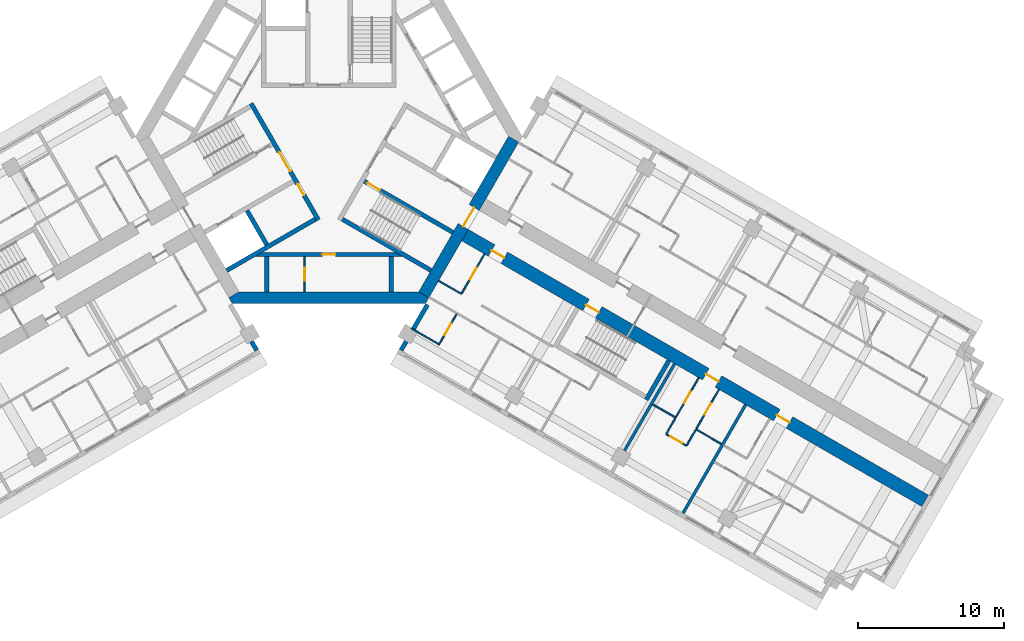
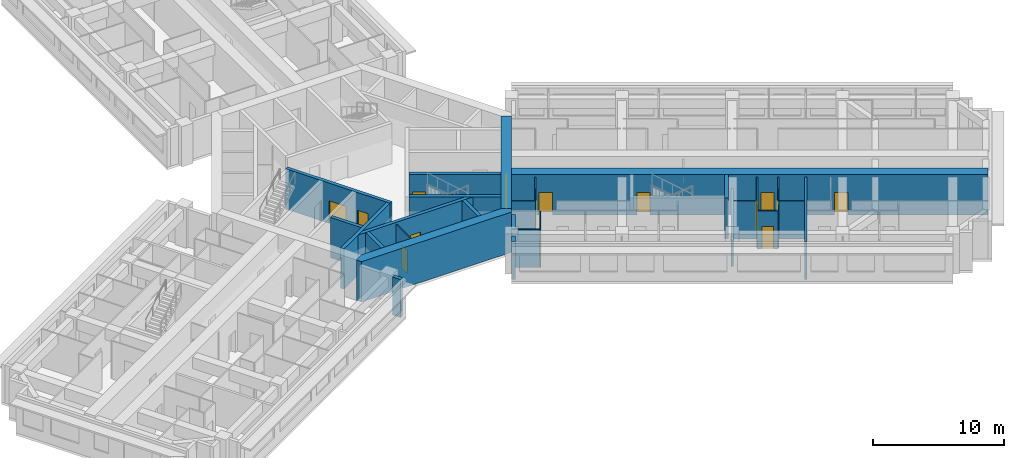
# One storey, part 6 of 14: 29 walls, 15 doors, 15 openings.
"""IFC4 building model written with IfcOpenShell, lengths in metres."""

from ifc_helpers import new_model, si_unit, direction, frame, frame_2d, origin, place, context, subcontext, project, spatial, polyline, rectangle, outline, extrude, material, layer, layer_set, type_object, element, fill, save


model = new_model("IFC4")

# Units and contexts
model_context = context("Model", 3, precision=1e-05, world=origin(), true_north=direction((0.0, 1.0)))
body_context = subcontext(model_context, "Body", "Model", "MODEL_VIEW")
ifc_project = project(units=[si_unit("LENGTHUNIT", "METRE"), si_unit("AREAUNIT", "SQUARE_METRE"), si_unit("VOLUMEUNIT", "CUBIC_METRE"), si_unit("PLANEANGLEUNIT", "RADIAN"), si_unit("MASSUNIT", "GRAM", prefix="KILO")], contexts=[model_context])

# Site, building, storey
site_placement = place(None, origin())
site = spatial("IfcSite", under=ifc_project, at=site_placement, CompositionType="ELEMENT")
building_placement = place(site_placement, origin())
building = spatial("IfcBuilding", under=site, at=building_placement, Name="Impinga Residences", CompositionType="ELEMENT")
storey_placement = place(building_placement, frame((0.0, 0.0, 154.75)))
storey = spatial("IfcBuildingStorey", under=building, at=storey_placement, Name="L38", CompositionType="ELEMENT", Elevation=154.75)

# Wall, openings, doors
ifc_material_1 = material(Name="Concrete C60/75", Category="concrete")
ifc_layer_1 = layer(ifc_material_1, 0.89990234375)
ifc_layer_set_1 = layer_set([ifc_layer_1], Name="Concrete C60/75")
wall_type_1 = type_object("IfcWallType", Name="BW2 corridor buttress wall, L24 to L44 900", PredefinedType="SHEAR", material=ifc_layer_set_1)
wall_1_placement = place(storey_placement, frame((8.95361328125, -6.554931640625, 0.0), z_axis=(0.0, 0.0, 1.0), x_axis=(0.866024733898, -0.500001160275, 0.0)))
wall_1 = element("IfcWall", 1, at=wall_1_placement, inside=storey, type_object=wall_type_1, Name="Corridor wall BW2 ED L38", PredefinedType="SHEAR", context=body_context, shape_type="SweptSolid", body=[
    extrude(rectangle(XDim=36.7001953125, YDim=0.89990234375, at=frame_2d((18.35009765625, 0.0))), origin(), (0.0, 0.0, 1.0), 3.75),
])
opening_1_placement = place(wall_1_placement, frame((9.949951171875, 0.0, 0.0)))
opening_1 = element("IfcOpeningElement", 2, at=opening_1_placement, cuts=wall_1, Name="Opening D5", PredefinedType="OPENING", context=body_context, shape_type="SweptSolid", body=[
    extrude(rectangle(XDim=1.0, YDim=2.10009765625, at=frame_2d((0.5, 1.050048828125))), frame((0.0, 0.4599609375, 0.0), z_axis=(0.0, -1.0, 0.0), x_axis=(1.0, 0.0, 0.0)), (0.0, 0.0, 1.0), 0.919921875),
])
opening_2_placement = place(wall_1_placement, frame((2.5, 0.0, 0.0)))
opening_2 = element("IfcOpeningElement", 3, at=opening_2_placement, cuts=wall_1, Name="Opening D1", PredefinedType="OPENING", context=body_context, shape_type="SweptSolid", body=[
    extrude(rectangle(XDim=1.0, YDim=2.10009765625, at=frame_2d((0.5, 1.050048828125))), frame((0.0, 0.4599609375, 0.0), z_axis=(0.0, -1.0, 0.0), x_axis=(1.0, 0.0, 0.0)), (0.0, 0.0, 1.0), 0.919921875),
])
opening_3_placement = place(wall_1_placement, frame((19.39990234375, 0.0, 0.0)))
opening_3 = element("IfcOpeningElement", 4, at=opening_3_placement, cuts=wall_1, Name="Opening D1", PredefinedType="OPENING", context=body_context, shape_type="SweptSolid", body=[
    extrude(rectangle(XDim=1.0, YDim=2.10009765625, at=frame_2d((0.5, 1.050048828125))), frame((0.0, 0.4599609375, 0.0), z_axis=(0.0, -1.0, 0.0), x_axis=(1.0, 0.0, 0.0)), (0.0, 0.0, 1.0), 0.919921875),
])
opening_4_placement = place(wall_1_placement, frame((25.0, 0.0, 0.0)))
opening_4 = element("IfcOpeningElement", 5, at=opening_4_placement, cuts=wall_1, Name="Opening D1", PredefinedType="OPENING", context=body_context, shape_type="SweptSolid", body=[
    extrude(rectangle(XDim=1.0, YDim=2.10009765625, at=frame_2d((0.5, 1.050048828125))), frame((0.0, 0.4599609375, 0.0), z_axis=(0.0, -1.0, 0.0), x_axis=(1.0, 0.0, 0.0)), (0.0, 0.0, 1.0), 0.919921875),
])
ifc_material_2 = material(Name="Timber door set", Category="wood")
door_type_1 = type_object("IfcDoorType", Name="D1 apartment entrance door 1000x2100", OperationType="SINGLE_SWING_LEFT", PredefinedType="DOOR", material=ifc_material_2)
door_1_placement = place(opening_2_placement, origin())
door_1 = element("IfcDoor", 6, at=door_1_placement, inside=storey, type_object=door_type_1, Name="Apartment L38-EF1 entrance", OperationType="SINGLE_SWING_LEFT", OverallHeight=2.10009765625, OverallWidth=1.0, PredefinedType="DOOR", context=body_context, shape_type="SweptSolid", body=[
    extrude(rectangle(XDim=1.0, YDim=2.10009765625, at=frame_2d((0.5, 1.050048828125))), frame((0.0, 0.02490234375, 0.0), z_axis=(0.0, -1.0, 0.0), x_axis=(1.0, 0.0, 0.0)), (0.0, 0.0, 1.0), 0.050048828125),
])
fill(opening_2, door_1)
door_2_placement = place(opening_3_placement, origin())
door_2 = element("IfcDoor", 7, at=door_2_placement, inside=storey, type_object=door_type_1, Name="Apartment L38-EF2 entrance", OperationType="SINGLE_SWING_RIGHT", OverallHeight=2.10009765625, OverallWidth=1.0, PredefinedType="DOOR", context=body_context, shape_type="SweptSolid", body=[
    extrude(rectangle(XDim=1.0, YDim=2.10009765625, at=frame_2d((0.5, 1.050048828125))), frame((0.0, 0.02490234375, 0.0), z_axis=(0.0, -1.0, 0.0), x_axis=(1.0, 0.0, 0.0)), (0.0, 0.0, 1.0), 0.050048828125),
])
fill(opening_3, door_2)
door_3_placement = place(opening_4_placement, origin())
door_3 = element("IfcDoor", 8, at=door_3_placement, inside=storey, type_object=door_type_1, Name="Apartment L38-EF3 entrance", OperationType="SINGLE_SWING_RIGHT", OverallHeight=2.10009765625, OverallWidth=1.0, PredefinedType="DOOR", context=body_context, shape_type="SweptSolid", body=[
    extrude(rectangle(XDim=1.0, YDim=2.10009765625, at=frame_2d((0.5, 1.050048828125))), frame((0.0, 0.02490234375, 0.0), z_axis=(0.0, -1.0, 0.0), x_axis=(1.0, 0.0, 0.0)), (0.0, 0.0, 1.0), 0.050048828125),
])
fill(opening_4, door_3)
door_type_2 = type_object("IfcDoorType", Name="D5 stair door 1000x2100", OperationType="SINGLE_SWING_LEFT", PredefinedType="DOOR", material=ifc_material_2)
door_4_placement = place(opening_1_placement, origin())
door_4 = element("IfcDoor", 9, at=door_4_placement, inside=storey, type_object=door_type_2, Name="Wing stair door E", OperationType="SINGLE_SWING_LEFT", OverallHeight=2.10009765625, OverallWidth=1.0, PredefinedType="DOOR", context=body_context, shape_type="SweptSolid", body=[
    extrude(rectangle(XDim=1.0, YDim=2.10009765625, at=frame_2d((0.5, 1.050048828125))), frame((0.0, 0.02490234375, 0.0), z_axis=(0.0, -1.0, 0.0), x_axis=(1.0, 0.0, 0.0)), (0.0, 0.0, 1.0), 0.050048828125),
])
fill(opening_1, door_4)

# Wall, opening, door
ifc_material_3 = material(Name="Concrete blockwork", Category="masonry")
ifc_layer_2 = layer(ifc_material_3, 0.10009765625)
ifc_layer_set_2 = layer_set([ifc_layer_2], Name="CP1 core room partition, blockwork 100")
wall_type_2 = type_object("IfcWallType", Name="CP1 core room partition, blockwork 100", PredefinedType="PARTITIONING", material=ifc_layer_set_2)
wall_2_placement = place(storey_placement, frame((-1.64990234375, -8.2314453125, 0.0), z_axis=(0.0, 0.0, 1.0), x_axis=(0.0, -1.0, 0.0)))
wall_2 = element("IfcWall", 10, at=wall_2_placement, inside=storey, type_object=wall_type_2, Name="Core room partition, blockwork L38:CORE:low:ZP1", PredefinedType="PARTITIONING", context=body_context, shape_type="SweptSolid", body=[
    extrude(rectangle(XDim=2.400146484375, YDim=0.10009765625, at=frame_2d((1.2001953125, 0.0))), origin(), (0.0, 0.0, 1.0), 3.530029296875),
])
opening_5_placement = place(wall_2_placement, frame((0.75, 0.0, 0.0)))
opening_5 = element("IfcOpeningElement", 11, at=opening_5_placement, cuts=wall_2, Name="Opening D6", PredefinedType="OPENING", context=body_context, shape_type="SweptSolid", body=[
    extrude(rectangle(XDim=0.89990234375, YDim=2.10009765625, at=frame_2d((0.449951171875, 1.050048828125))), frame((0.0, 0.06005859375, 0.0), z_axis=(0.0, -1.0, 0.0), x_axis=(1.0, 0.0, 0.0)), (0.0, 0.0, 1.0), 0.1201171875),
])
door_type_3 = type_object("IfcDoorType", Name="D6 riser and store door 900x2100", OperationType="SINGLE_SWING_LEFT", PredefinedType="DOOR", material=ifc_material_2)
door_5_placement = place(opening_5_placement, origin())
door_5 = element("IfcDoor", 12, at=door_5_placement, inside=storey, type_object=door_type_3, Name="Residents' storage lockers door", OperationType="SINGLE_SWING_LEFT", OverallHeight=2.10009765625, OverallWidth=0.89990234375, PredefinedType="DOOR", context=body_context, shape_type="SweptSolid", body=[
    extrude(rectangle(XDim=0.89990234375, YDim=2.10009765625, at=frame_2d((0.449951171875, 1.050048828125))), frame((0.0, 0.02490234375, 0.0), z_axis=(0.0, -1.0, 0.0), x_axis=(1.0, 0.0, 0.0)), (0.0, 0.0, 1.0), 0.050048828125),
])
fill(opening_5, door_5)

# Walls
ifc_material_4 = material(Name="Terracotta rainscreen on blockwork", Category="masonry")
ifc_layer_3 = layer(ifc_material_4, 0.300048828125)
ifc_layer_set_3 = layer_set([ifc_layer_3], Name="EW1 external wall, terracotta rainscreen on blockwork 300")
wall_type_3 = type_object("IfcWallType", Name="EW1 external wall, terracotta rainscreen on blockwork 300", PredefinedType="SOLIDWALL", material=ifc_layer_set_3)
wall_3_placement = place(storey_placement, frame((4.929931640625, -14.624267578125, 0.0), z_axis=(0.0, 0.0, 1.0), x_axis=(0.499853302173, 0.866110083249, 0.0)))
element("IfcWall", 13, at=wall_3_placement, inside=storey, type_object=wall_type_3, Name="External wall EW1 L38", PredefinedType="SOLIDWALL", context=body_context, shape_type="SweptSolid", body=[
    extrude(rectangle(XDim=0.699951171875, YDim=0.300048828125, at=frame_2d((0.35009765625, 0.0))), origin(), (0.0, 0.0, 1.0), 3.530029296875),
])
wall_4_placement = place(storey_placement, frame((5.77978515625, -13.152099609375, 0.0), z_axis=(0.0, 0.0, 1.0), x_axis=(0.500063520245, 0.865988727248, 0.0)))
element("IfcWall", 14, at=wall_4_placement, inside=storey, type_object=wall_type_3, Name="External wall EW1 L38", PredefinedType="SOLIDWALL", context=body_context, shape_type="SweptSolid", body=[
    extrude(rectangle(XDim=1.900146484375, YDim=0.300048828125, at=frame_2d((0.9501953125, 0.0))), origin(), (0.0, 0.0, 1.0), 3.530029296875),
])
wall_5_placement = place(storey_placement, frame((-5.27978515625, -14.01806640625, 0.0), z_axis=(0.0, 0.0, 1.0), x_axis=(0.499853302173, -0.866110083249, 0.0)))
element("IfcWall", 15, at=wall_5_placement, inside=storey, type_object=wall_type_3, Name="External wall EW1 L38", PredefinedType="SOLIDWALL", context=body_context, shape_type="SweptSolid", body=[
    extrude(rectangle(XDim=0.699951171875, YDim=0.300048828125, at=frame_2d((0.35009765625, 0.0))), origin(), (0.0, 0.0, 1.0), 3.530029296875),
])
ifc_material_5 = material(Name="Gypsum board on steel studs", Category="steel")
ifc_layer_4 = layer(ifc_material_5, 0.10009765625)
ifc_layer_set_4 = layer_set([ifc_layer_4], Name="Gypsum board on steel studs")
wall_type_4 = type_object("IfcWallType", Name="IP1 partition 100", PredefinedType="PARTITIONING", material=ifc_layer_set_4)
wall_6_placement = place(storey_placement, frame((7.5, -9.872802734375, 0.0), z_axis=(0.0, 0.0, 1.0), x_axis=(0.866047807691, -0.499961193289, 0.0)))
element("IfcWall", 16, at=wall_6_placement, inside=storey, type_object=wall_type_4, Name="Partition L38-EF1:DIV0", PredefinedType="PARTITIONING", context=body_context, shape_type="SweptSolid", body=[
    extrude(rectangle(XDim=1.800048828125, YDim=0.10009765625, at=frame_2d((0.89990234375, 0.0))), origin(), (0.0, 0.0, 1.0), 3.530029296875),
])

# Wall, opening, door
wall_7_placement = place(storey_placement, frame((10.6337890625, -8.044677734375, 0.0), z_axis=(0.0, 0.0, 1.0), x_axis=(-0.49999285859, -0.86602952684, 0.0)))
wall_7 = element("IfcWall", 17, at=wall_7_placement, inside=storey, type_object=wall_type_4, Name="Partition L38-EF1:IB1", PredefinedType="PARTITIONING", context=body_context, shape_type="SweptSolid", body=[
    extrude(rectangle(XDim=3.10009765625, YDim=0.10009765625, at=frame_2d((1.550048828125, 0.0))), origin(), (0.0, 0.0, 1.0), 3.530029296875),
])
opening_6_placement = place(wall_7_placement, frame((1.10009765625, 0.0, 0.0)))
opening_6 = element("IfcOpeningElement", 18, at=opening_6_placement, cuts=wall_7, Name="Opening D2", PredefinedType="OPENING", context=body_context, shape_type="SweptSolid", body=[
    extrude(rectangle(XDim=0.89990234375, YDim=2.10009765625, at=frame_2d((0.449951171875, 1.050048828125))), frame((0.0, 0.06005859375, 0.0), z_axis=(0.0, -1.0, 0.0), x_axis=(1.0, 0.0, 0.0)), (0.0, 0.0, 1.0), 0.1201171875),
])
door_type_4 = type_object("IfcDoorType", Name="D2 internal door 900x2100", OperationType="SINGLE_SWING_LEFT", PredefinedType="DOOR", material=ifc_material_2)
door_6_placement = place(opening_6_placement, origin())
door_6 = element("IfcDoor", 19, at=door_6_placement, inside=storey, type_object=door_type_4, Name="Apartment L38-EF1 bathroom door", OperationType="SINGLE_SWING_LEFT", OverallHeight=2.10009765625, OverallWidth=0.89990234375, PredefinedType="DOOR", context=body_context, shape_type="SweptSolid", body=[
    extrude(rectangle(XDim=0.89990234375, YDim=2.10009765625, at=frame_2d((0.449951171875, 1.050048828125))), frame((0.0, 0.02490234375, 0.0), z_axis=(0.0, -1.0, 0.0), x_axis=(1.0, 0.0, 0.0)), (0.0, 0.0, 1.0), 0.050048828125),
])
fill(opening_6, door_6)

wall_8_placement = place(storey_placement, frame((8.730224609375, -12.141845703125, 0.0), z_axis=(0.0, 0.0, 1.0), x_axis=(-0.499943856944, -0.866057815567, 0.0)))
wall_8 = element("IfcWall", 20, at=wall_8_placement, inside=storey, type_object=wall_type_4, Name="Partition L38-EF1:EN1", PredefinedType="PARTITIONING", context=body_context, shape_type="SweptSolid", body=[
    extrude(rectangle(XDim=2.449951171875, YDim=0.10009765625, at=frame_2d((1.22509765625, 0.0))), origin(), (0.0, 0.0, 1.0), 3.530029296875),
])
opening_7_placement = place(wall_8_placement, frame((0.75, 0.0, 0.0)))
opening_7 = element("IfcOpeningElement", 21, at=opening_7_placement, cuts=wall_8, Name="Opening D2", PredefinedType="OPENING", context=body_context, shape_type="SweptSolid", body=[
    extrude(rectangle(XDim=0.89990234375, YDim=2.10009765625, at=frame_2d((0.449951171875, 1.050048828125))), frame((0.0, 0.06005859375, 0.0), z_axis=(0.0, -1.0, 0.0), x_axis=(1.0, 0.0, 0.0)), (0.0, 0.0, 1.0), 0.1201171875),
])
door_7_placement = place(opening_7_placement, origin())
door_7 = element("IfcDoor", 22, at=door_7_placement, inside=storey, type_object=door_type_4, Name="Apartment L38-EF1 en-suite door", OperationType="SINGLE_SWING_LEFT", OverallHeight=2.10009765625, OverallWidth=0.89990234375, PredefinedType="DOOR", context=body_context, shape_type="SweptSolid", body=[
    extrude(rectangle(XDim=0.89990234375, YDim=2.10009765625, at=frame_2d((0.449951171875, 1.050048828125))), frame((0.0, 0.02490234375, 0.0), z_axis=(0.0, -1.0, 0.0), x_axis=(1.0, 0.0, 0.0)), (0.0, 0.0, 1.0), 0.050048828125),
])
fill(opening_7, door_7)

# Walls
wall_9_placement = place(storey_placement, frame((5.625, -13.120361328125, 0.0), z_axis=(0.0, 0.0, 1.0), x_axis=(0.866047553582, -0.499961633463, 0.0)))
element("IfcWall", 23, at=wall_9_placement, inside=storey, type_object=wall_type_4, Name="Partition L38-EF1:EN2", PredefinedType="PARTITIONING", context=body_context, shape_type="SweptSolid", body=[
    extrude(rectangle(XDim=2.150146484375, YDim=0.10009765625, at=frame_2d((1.0751953125, 0.0))), origin(), (0.0, 0.0, 1.0), 3.530029296875),
])
wall_10_placement = place(storey_placement, frame((22.1357421875, -18.32275390625, 0.0), z_axis=(0.0, 0.0, 1.0), x_axis=(0.866047807691, -0.499961193289, 0.0)))
element("IfcWall", 24, at=wall_10_placement, inside=storey, type_object=wall_type_4, Name="Partition L38-EF2:DIV0", PredefinedType="PARTITIONING", context=body_context, shape_type="SweptSolid", body=[
    extrude(rectangle(XDim=1.800048828125, YDim=0.10009765625, at=frame_2d((0.89990234375, 0.0))), origin(), (0.0, 0.0, 1.0), 3.530029296875),
])
wall_11_placement = place(storey_placement, frame((25.080322265625, -20.022705078125, 0.0), z_axis=(0.0, 0.0, 1.0), x_axis=(0.866010750942, -0.50002537861, 0.0)))
element("IfcWall", 25, at=wall_11_placement, inside=storey, type_object=wall_type_4, Name="Partition L38-EF2:DIV1", PredefinedType="PARTITIONING", context=body_context, shape_type="SweptSolid", body=[
    extrude(rectangle(XDim=2.0, YDim=0.10009765625, at=frame_2d((1.0, 0.0))), origin(), (0.0, 0.0, 1.0), 3.530029296875),
])

# Wall, opening, door
wall_12_placement = place(storey_placement, frame((23.044677734375, -20.3486328125, 0.0), z_axis=(0.0, 0.0, 1.0), x_axis=(0.866094119867, -0.499880961361, 0.0)))
wall_12 = element("IfcWall", 26, at=wall_12_placement, inside=storey, type_object=wall_type_4, Name="Partition L38-EF2:STRIP", PredefinedType="PARTITIONING", context=body_context, shape_type="SweptSolid", body=[
    extrude(rectangle(XDim=1.60009765625, YDim=0.10009765625, at=frame_2d((0.800048828125, 0.0))), origin(), (0.0, 0.0, 1.0), 3.530029296875),
])
opening_8_placement = place(wall_12_placement, frame((0.35009765625, 0.0, 0.0)))
opening_8 = element("IfcOpeningElement", 27, at=opening_8_placement, cuts=wall_12, Name="Opening D2", PredefinedType="OPENING", context=body_context, shape_type="SweptSolid", body=[
    extrude(rectangle(XDim=0.89990234375, YDim=2.10009765625, at=frame_2d((0.449951171875, 1.050048828125))), frame((0.0, 0.06005859375, 0.0), z_axis=(0.0, -1.0, 0.0), x_axis=(1.0, 0.0, 0.0)), (0.0, 0.0, 1.0), 0.1201171875),
])
door_8_placement = place(opening_8_placement, origin())
door_8 = element("IfcDoor", 28, at=door_8_placement, inside=storey, type_object=door_type_4, Name="Apartment L38-EF2 room door", OperationType="SINGLE_SWING_LEFT", OverallHeight=2.10009765625, OverallWidth=0.89990234375, PredefinedType="DOOR", context=body_context, shape_type="SweptSolid", body=[
    extrude(rectangle(XDim=0.89990234375, YDim=2.10009765625, at=frame_2d((0.449951171875, 1.050048828125))), frame((0.0, 0.02490234375, 0.0), z_axis=(0.0, -1.0, 0.0), x_axis=(1.0, 0.0, 0.0)), (0.0, 0.0, 1.0), 0.050048828125),
])
fill(opening_8, door_8)

# Walls
for number, where, z_axis, x_axis, name in (
    (29, (23.669677734375, -19.265869140625, 0.0), (0.0, 0.0, 1.0), (-0.500033551112, -0.866006032174, 0.0), "Partition L38-EF2:SE0"),
    (30, (25.055419921875, -20.06591796875, 0.0), (0.0, 0.0, 1.0), (-0.500033551112, -0.866006032174, 0.0), "Partition L38-EF2:SE1"),
):
    element("IfcWall", number, at=place(storey_placement, frame(where, z_axis=z_axis, x_axis=x_axis)), inside=storey, type_object=wall_type_4, Name=name, PredefinedType="PARTITIONING", context=body_context, shape_type="SweptSolid", body=[
        extrude(rectangle(XDim=1.2001953125, YDim=0.10009765625, at=frame_2d((0.60009765625, 0.0))), origin(), (0.0, 0.0, 1.0), 3.530029296875),
    ])

# Wall, opening, door
wall_13_placement = place(storey_placement, frame((25.269775390625, -16.49462890625, 0.0), z_axis=(0.0, 0.0, 1.0), x_axis=(-0.49999285859, -0.86602952684, 0.0)))
wall_13 = element("IfcWall", 31, at=wall_13_placement, inside=storey, type_object=wall_type_4, Name="Partition L38-EF2:IB1", PredefinedType="PARTITIONING", context=body_context, shape_type="SweptSolid", body=[
    extrude(rectangle(XDim=3.10009765625, YDim=0.10009765625, at=frame_2d((1.550048828125, 0.0))), origin(), (0.0, 0.0, 1.0), 3.530029296875),
])
opening_9_placement = place(wall_13_placement, frame((1.10009765625, 0.0, 0.0)))
opening_9 = element("IfcOpeningElement", 32, at=opening_9_placement, cuts=wall_13, Name="Opening D2", PredefinedType="OPENING", context=body_context, shape_type="SweptSolid", body=[
    extrude(rectangle(XDim=0.89990234375, YDim=2.10009765625, at=frame_2d((0.449951171875, 1.050048828125))), frame((0.0, 0.06005859375, 0.0), z_axis=(0.0, -1.0, 0.0), x_axis=(1.0, 0.0, 0.0)), (0.0, 0.0, 1.0), 0.1201171875),
])
door_9_placement = place(opening_9_placement, origin())
door_9 = element("IfcDoor", 33, at=door_9_placement, inside=storey, type_object=door_type_4, Name="Apartment L38-EF2 bathroom door", OperationType="SINGLE_SWING_LEFT", OverallHeight=2.10009765625, OverallWidth=0.89990234375, PredefinedType="DOOR", context=body_context, shape_type="SweptSolid", body=[
    extrude(rectangle(XDim=0.89990234375, YDim=2.10009765625, at=frame_2d((0.449951171875, 1.050048828125))), frame((0.0, 0.02490234375, 0.0), z_axis=(0.0, -1.0, 0.0), x_axis=(1.0, 0.0, 0.0)), (0.0, 0.0, 1.0), 0.050048828125),
])
fill(opening_9, door_9)

wall_14_placement = place(storey_placement, frame((26.6552734375, -17.294677734375, 0.0), z_axis=(0.0, 0.0, 1.0), x_axis=(-0.49999285859, -0.86602952684, 0.0)))
wall_14 = element("IfcWall", 34, at=wall_14_placement, inside=storey, type_object=wall_type_4, Name="Partition L38-EF2:IB2", PredefinedType="PARTITIONING", context=body_context, shape_type="SweptSolid", body=[
    extrude(rectangle(XDim=3.10009765625, YDim=0.10009765625, at=frame_2d((1.550048828125, 0.0))), origin(), (0.0, 0.0, 1.0), 3.530029296875),
])
opening_10_placement = place(wall_14_placement, frame((1.10009765625, 0.0, 0.0)))
opening_10 = element("IfcOpeningElement", 35, at=opening_10_placement, cuts=wall_14, Name="Opening D2", PredefinedType="OPENING", context=body_context, shape_type="SweptSolid", body=[
    extrude(rectangle(XDim=0.89990234375, YDim=2.10009765625, at=frame_2d((0.449951171875, 1.050048828125))), frame((0.0, 0.06005859375, 0.0), z_axis=(0.0, -1.0, 0.0), x_axis=(1.0, 0.0, 0.0)), (0.0, 0.0, 1.0), 0.1201171875),
])
door_10_placement = place(opening_10_placement, origin())
door_10 = element("IfcDoor", 36, at=door_10_placement, inside=storey, type_object=door_type_4, Name="Apartment L38-EF2 WC door", OperationType="SINGLE_SWING_LEFT", OverallHeight=2.10009765625, OverallWidth=0.89990234375, PredefinedType="DOOR", context=body_context, shape_type="SweptSolid", body=[
    extrude(rectangle(XDim=0.89990234375, YDim=2.10009765625, at=frame_2d((0.449951171875, 1.050048828125))), frame((0.0, 0.02490234375, 0.0), z_axis=(0.0, -1.0, 0.0), x_axis=(1.0, 0.0, 0.0)), (0.0, 0.0, 1.0), 0.050048828125),
])
fill(opening_10, door_10)

# Walls
ifc_layer_5 = layer(ifc_material_3, 0.199951171875)
ifc_layer_set_5 = layer_set([ifc_layer_5], Name="PW1 party wall between apartments 200")
wall_type_5 = type_object("IfcWallType", Name="PW1 party wall between apartments 200", PredefinedType="SOLIDWALL", material=ifc_layer_set_5)
wall_15_placement = place(storey_placement, frame((23.624267578125, -15.544677734375, 0.0), z_axis=(0.0, 0.0, 1.0), x_axis=(-0.499999086063, -0.866025931445, 0.0)))
element("IfcWall", 37, at=wall_15_placement, inside=storey, type_object=wall_type_5, Name="Party wall between apartments L38-EF1:PARTY", PredefinedType="SOLIDWALL", context=body_context, shape_type="SweptSolid", body=[
    extrude(rectangle(XDim=6.85009765625, YDim=0.199951171875, at=frame_2d((3.425048828125, 0.0))), origin(), (0.0, 0.0, 1.0), 2.47998046875),
])
wall_16_placement = place(storey_placement, frame((28.473876953125, -18.3447265625, 0.0), z_axis=(0.0, 0.0, 1.0), x_axis=(-0.499990227581, -0.86603104582, 0.0)))
element("IfcWall", 38, at=wall_16_placement, inside=storey, type_object=wall_type_5, Name="Party wall between apartments L38-EF2:PARTY", PredefinedType="SOLIDWALL", context=body_context, shape_type="SweptSolid", body=[
    extrude(rectangle(XDim=8.550048828125, YDim=0.199951171875, at=frame_2d((4.27490234375, 0.0))), origin(), (0.0, 0.0, 1.0), 3.530029296875),
])
ifc_layer_6 = layer(ifc_material_1, 0.300048828125)
ifc_layer_set_6 = layer_set([ifc_layer_6], Name="Concrete C60/75")
wall_type_6 = type_object("IfcWallType", Name="SE1 wing stair enclosure wall 300", PredefinedType="SOLIDWALL", material=ifc_layer_set_6)
wall_17_placement = place(storey_placement, frame((23.234619140625, -15.31982421875, 0.0), z_axis=(0.0, 0.0, 1.0), x_axis=(-0.500026960575, -0.86600983753, 0.0)))
element("IfcWall", 39, at=wall_17_placement, inside=storey, type_object=wall_type_6, Name="Stair enclosure wall SE1 E END1 L38", PredefinedType="SOLIDWALL", context=body_context, shape_type="SweptSolid", body=[
    extrude(rectangle(XDim=3.099853515625, YDim=0.300048828125, at=frame_2d((1.5498046875, 0.0))), origin(), (0.0, 0.0, 1.0), 3.75),
])

# Wall, opening, door
ifc_layer_7 = layer(ifc_material_1, 0.800048828125)
ifc_layer_set_7 = layer_set([ifc_layer_7], Name="Concrete C60/75")
wall_type_7 = type_object("IfcWallType", Name="SW2 core wall 800", PredefinedType="SHEAR", material=ifc_layer_set_7)
wall_18_placement = place(storey_placement, frame((12.62255859375, -0.199951171875, 0.0), z_axis=(0.0, 0.0, 1.0), x_axis=(-0.499986991068, -0.866032914365, 0.0)))
wall_18 = element("IfcWall", 40, at=wall_18_placement, inside=storey, type_object=wall_type_7, Name="Core wall SW2 E:FACE L38", PredefinedType="SHEAR", context=body_context, shape_type="SweptSolid", body=[
    extrude(rectangle(XDim=12.276123046875, YDim=0.800048828125, at=frame_2d((6.13818359375, 0.0))), origin(), (0.0, 0.0, 1.0), 3.75),
])
opening_11_placement = place(wall_18_placement, frame((5.38818359375, 0.0, 0.0)))
opening_11 = element("IfcOpeningElement", 41, at=opening_11_placement, cuts=wall_18, Name="Opening D4", PredefinedType="OPENING", context=body_context, shape_type="SweptSolid", body=[
    extrude(rectangle(XDim=1.5, YDim=2.10009765625, at=frame_2d((0.75, 1.050048828125))), frame((0.0, 0.409912109375, 0.0), z_axis=(0.0, -1.0, 0.0), x_axis=(1.0, 0.0, 0.0)), (0.0, 0.0, 1.0), 0.820068359375),
])
door_type_5 = type_object("IfcDoorType", Name="D4 lobby door pair 1500x2100", OperationType="DOUBLE_DOOR_DOUBLE_SWING", PredefinedType="DOOR", material=ifc_material_2)
door_11_placement = place(opening_11_placement, origin())
door_11 = element("IfcDoor", 42, at=door_11_placement, inside=storey, type_object=door_type_5, Name="Lobby door E", OperationType="DOUBLE_DOOR_DOUBLE_SWING", OverallHeight=2.10009765625, OverallWidth=1.5, PredefinedType="DOOR", context=body_context, shape_type="SweptSolid", body=[
    extrude(rectangle(XDim=1.5, YDim=2.10009765625, at=frame_2d((0.75, 1.050048828125))), frame((0.0, 0.02490234375, 0.0), z_axis=(0.0, -1.0, 0.0), x_axis=(1.0, 0.0, 0.0)), (0.0, 0.0, 1.0), 0.050048828125),
])
fill(opening_11, door_11)

# Wall
wall_19_placement = place(storey_placement, origin())
element("IfcWall", 43, at=wall_19_placement, inside=storey, type_object=wall_type_7, Name="Core wall SW2 N:EXPOSED L38", PredefinedType="SHEAR", context=body_context, shape_type="SweptSolid", body=[
    extrude(outline(polyline([(-6.60009765625, -11.431640625), (6.60009765625, -11.431640625), (6.8310546875, -11.031494140625), (6.13818359375, -10.631591796875), (-6.13818359375, -10.631591796875), (-6.8310546875, -11.031494140625), (-6.60009765625, -11.431640625)])), origin(), (0.0, 0.0, 1.0), 3.75),
])

# Wall, openings, doors
ifc_material_6 = material(Name="Concrete C70/85", Category="concrete")
ifc_layer_8 = layer(ifc_material_6, 0.300048828125)
ifc_layer_set_8 = layer_set([ifc_layer_8], Name="Concrete C70/85")
wall_type_8 = type_object("IfcWallType", Name="SW5 core inner wall, stairs, shafts and lobbies 300", PredefinedType="SHEAR", material=ifc_layer_set_8)
wall_20_placement = place(storey_placement, frame((-0.7138671875, -5.7236328125, 0.0), z_axis=(0.0, 0.0, 1.0), x_axis=(-0.499995050369, 0.866028261437, 0.0)))
wall_20 = element("IfcWall", 44, at=wall_20_placement, inside=storey, type_object=wall_type_8, Name="Core wall SW5 W:ZONE L38", PredefinedType="SHEAR", context=body_context, shape_type="SweptSolid", body=[
    extrude(rectangle(XDim=9.19970703125, YDim=0.300048828125, at=frame_2d((4.599853515625, 0.0))), origin(), (0.0, 0.0, 1.0), 3.75),
])
opening_12_placement = place(wall_20_placement, frame((3.85009765625, 0.0, 0.0)))
opening_12 = element("IfcOpeningElement", 45, at=opening_12_placement, cuts=wall_20, Name="Opening D4", PredefinedType="OPENING", context=body_context, shape_type="SweptSolid", body=[
    extrude(rectangle(XDim=1.5, YDim=2.10009765625, at=frame_2d((0.75, 1.050048828125))), frame((0.0, 0.159912109375, 0.0), z_axis=(0.0, -1.0, 0.0), x_axis=(1.0, 0.0, 0.0)), (0.0, 0.0, 1.0), 0.320068359375),
])
opening_13_placement = place(wall_20_placement, frame((1.949951171875, 0.0, 0.0)))
opening_13 = element("IfcOpeningElement", 46, at=opening_13_placement, cuts=wall_20, Name="Opening D6", PredefinedType="OPENING", context=body_context, shape_type="SweptSolid", body=[
    extrude(rectangle(XDim=0.89990234375, YDim=2.10009765625, at=frame_2d((0.449951171875, 1.050048828125))), frame((0.0, 0.159912109375, 0.0), z_axis=(0.0, -1.0, 0.0), x_axis=(1.0, 0.0, 0.0)), (0.0, 0.0, 1.0), 0.320068359375),
])
door_12_placement = place(opening_12_placement, origin())
door_12 = element("IfcDoor", 47, at=door_12_placement, inside=storey, type_object=door_type_5, Name="Firefighting lobby door W", OperationType="DOUBLE_DOOR_DOUBLE_SWING", OverallHeight=2.10009765625, OverallWidth=1.5, PredefinedType="DOOR", context=body_context, shape_type="SweptSolid", body=[
    extrude(rectangle(XDim=1.5, YDim=2.10009765625, at=frame_2d((0.75, 1.050048828125))), frame((0.0, 0.02490234375, 0.0), z_axis=(0.0, -1.0, 0.0), x_axis=(1.0, 0.0, 0.0)), (0.0, 0.0, 1.0), 0.050048828125),
])
fill(opening_12, door_12)
door_13_placement = place(opening_13_placement, origin())
door_13 = element("IfcDoor", 48, at=door_13_placement, inside=storey, type_object=door_type_3, Name="Riser door W", OperationType="SINGLE_SWING_LEFT", OverallHeight=2.10009765625, OverallWidth=0.89990234375, PredefinedType="DOOR", context=body_context, shape_type="SweptSolid", body=[
    extrude(rectangle(XDim=0.89990234375, YDim=2.10009765625, at=frame_2d((0.449951171875, 1.050048828125))), frame((0.0, 0.02490234375, 0.0), z_axis=(0.0, -1.0, 0.0), x_axis=(1.0, 0.0, 0.0)), (0.0, 0.0, 1.0), 0.050048828125),
])
fill(opening_13, door_13)

# Walls
wall_21_placement = place(storey_placement, frame((-0.918701171875, -5.668701171875, 0.0), z_axis=(0.0, 0.0, 1.0), x_axis=(-0.866011380966, -0.500024287448, 0.0)))
element("IfcWall", 49, at=wall_21_placement, inside=storey, type_object=wall_type_8, Name="Core wall SW5 W:FF-OUT L38", PredefinedType="SHEAR", context=body_context, shape_type="SweptSolid", body=[
    extrude(rectangle(XDim=7.001708984375, YDim=0.300048828125, at=frame_2d((3.5009765625, 0.0))), origin(), (0.0, 0.0, 1.0), 3.75),
])
wall_22_placement = place(storey_placement, frame((-4.2412109375, -7.413818359375, 0.0), z_axis=(0.0, 0.0, 1.0), x_axis=(-0.500048589285, 0.86599734893, 0.0)))
element("IfcWall", 50, at=wall_22_placement, inside=storey, type_object=wall_type_8, Name="Core wall SW5 W:FF-RS L38", PredefinedType="SHEAR", context=body_context, shape_type="SweptSolid", body=[
    extrude(rectangle(XDim=2.699951171875, YDim=0.300048828125, at=frame_2d((1.35009765625, 0.0))), origin(), (0.0, 0.0, 1.0), 3.75),
])

# Wall, opening, door
wall_23_placement = place(storey_placement, frame((2.418701171875, -3.07080078125, 0.0), z_axis=(0.0, 0.0, 1.0), x_axis=(0.866026480128, -0.499998135713, 0.0)))
wall_23 = element("IfcWall", 51, at=wall_23_placement, inside=storey, type_object=wall_type_8, Name="Core wall SW5 E:ST-IN L38", PredefinedType="SHEAR", context=body_context, shape_type="SweptSolid", body=[
    extrude(rectangle(XDim=7.00146484375, YDim=0.300048828125, at=frame_2d((3.500732421875, 0.0))), origin(), (0.0, 0.0, 1.0), 3.75),
])
opening_14_placement = place(wall_23_placement, frame((0.25, 0.0, 0.0)))
opening_14 = element("IfcOpeningElement", 52, at=opening_14_placement, cuts=wall_23, Name="Opening D5", PredefinedType="OPENING", context=body_context, shape_type="SweptSolid", body=[
    extrude(rectangle(XDim=1.0, YDim=2.10009765625, at=frame_2d((0.5, 1.050048828125))), frame((0.0, 0.159912109375, 0.0), z_axis=(0.0, -1.0, 0.0), x_axis=(1.0, 0.0, 0.0)), (0.0, 0.0, 1.0), 0.320068359375),
])
door_14_placement = place(opening_14_placement, origin())
door_14 = element("IfcDoor", 53, at=door_14_placement, inside=storey, type_object=door_type_2, Name="Stair door E", OperationType="SINGLE_SWING_LEFT", OverallHeight=2.10009765625, OverallWidth=1.0, PredefinedType="DOOR", context=body_context, shape_type="SweptSolid", body=[
    extrude(rectangle(XDim=1.0, YDim=2.10009765625, at=frame_2d((0.5, 1.050048828125))), frame((0.0, 0.02490234375, 0.0), z_axis=(0.0, -1.0, 0.0), x_axis=(1.0, 0.0, 0.0)), (0.0, 0.0, 1.0), 0.050048828125),
])
fill(opening_14, door_14)

# Wall
wall_24_placement = place(storey_placement, frame((0.918701171875, -5.668701171875, 0.0), z_axis=(0.0, 0.0, 1.0), x_axis=(0.866011380966, -0.500024287448, 0.0)))
element("IfcWall", 54, at=wall_24_placement, inside=storey, type_object=wall_type_8, Name="Core wall SW5 E:ST-OUT L38", PredefinedType="SHEAR", context=body_context, shape_type="SweptSolid", body=[
    extrude(rectangle(XDim=7.001708984375, YDim=0.300048828125, at=frame_2d((3.5009765625, 0.0))), origin(), (0.0, 0.0, 1.0), 3.75),
])

# Wall, opening, door
wall_25_placement = place(storey_placement, frame((5.09765625, -8.08154296875, 0.0), z_axis=(0.0, 0.0, 1.0), x_axis=(-1.0, 0.0, 0.0)))
wall_25 = element("IfcWall", 55, at=wall_25_placement, inside=storey, type_object=wall_type_8, Name="Core wall SW5 N:BANK-FRONT L38", PredefinedType="SHEAR", context=body_context, shape_type="SweptSolid", body=[
    extrude(rectangle(XDim=10.1953125, YDim=0.300048828125, at=frame_2d((5.09765625, 0.0))), origin(), (0.0, 0.0, 1.0), 3.75),
])
opening_15_placement = place(wall_25_placement, frame((4.647705078125, 0.0, 0.0)))
opening_15 = element("IfcOpeningElement", 56, at=opening_15_placement, cuts=wall_25, Name="Opening D6", PredefinedType="OPENING", context=body_context, shape_type="SweptSolid", body=[
    extrude(rectangle(XDim=0.89990234375, YDim=2.10009765625, at=frame_2d((0.449951171875, 1.050048828125))), frame((0.0, 0.159912109375, 0.0), z_axis=(0.0, -1.0, 0.0), x_axis=(1.0, 0.0, 0.0)), (0.0, 0.0, 1.0), 0.320068359375),
])
door_15_placement = place(opening_15_placement, origin())
door_15 = element("IfcDoor", 57, at=door_15_placement, inside=storey, type_object=door_type_3, Name="Residents' study door", OperationType="SINGLE_SWING_LEFT", OverallHeight=2.10009765625, OverallWidth=0.89990234375, PredefinedType="DOOR", context=body_context, shape_type="SweptSolid", body=[
    extrude(rectangle(XDim=0.89990234375, YDim=2.10009765625, at=frame_2d((0.449951171875, 1.050048828125))), frame((0.0, 0.02490234375, 0.0), z_axis=(0.0, -1.0, 0.0), x_axis=(1.0, 0.0, 0.0)), (0.0, 0.0, 1.0), 0.050048828125),
])
fill(opening_15, door_15)

# Walls
for number, where, z_axis, x_axis, name in (
    (58, (4.25, -8.2314453125, 0.0), (0.0, 0.0, 1.0), (0.0, -1.0, 0.0), "Core wall SW5 N:BANK-L L38"),
    (59, (-4.25, -8.2314453125, 0.0), (0.0, 0.0, 1.0), (0.0, -1.0, 0.0), "Core wall SW5 N:BANK-R L38"),
):
    element("IfcWall", number, at=place(storey_placement, frame(where, z_axis=z_axis, x_axis=x_axis)), inside=storey, type_object=wall_type_8, Name=name, PredefinedType="SHEAR", context=body_context, shape_type="SweptSolid", body=[
        extrude(rectangle(XDim=2.400146484375, YDim=0.300048828125, at=frame_2d((1.2001953125, 0.0))), origin(), (0.0, 0.0, 1.0), 3.75),
    ])

save(model, "model.ifc")
